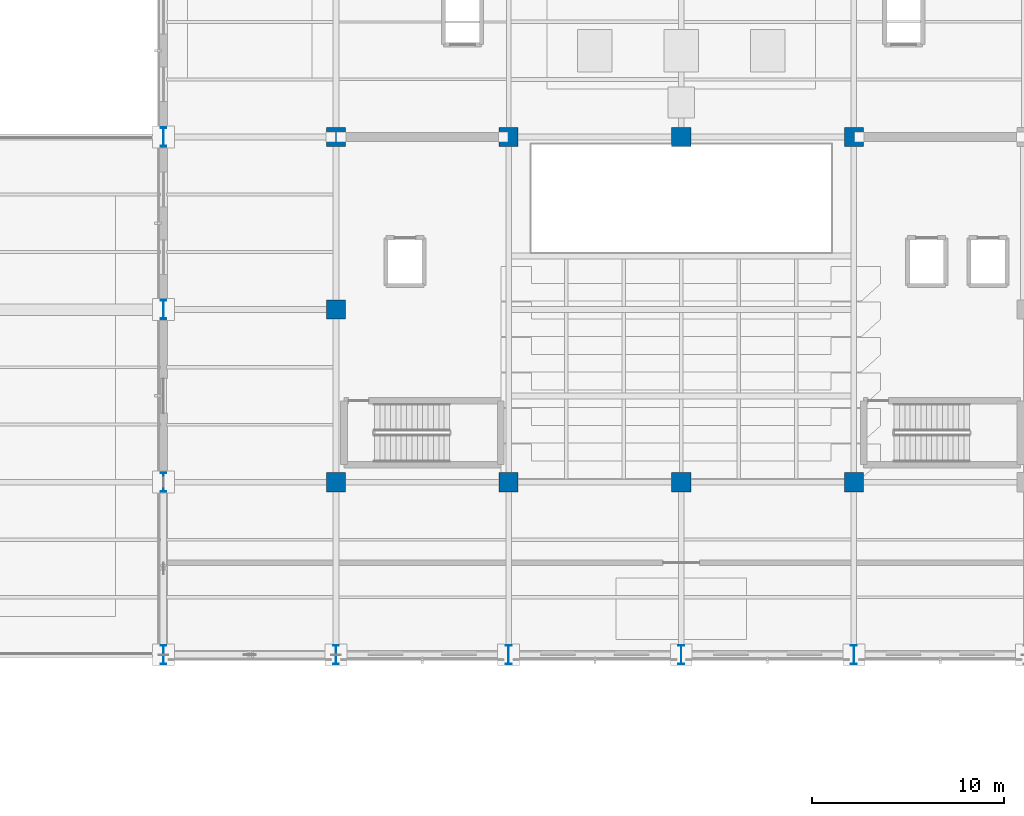
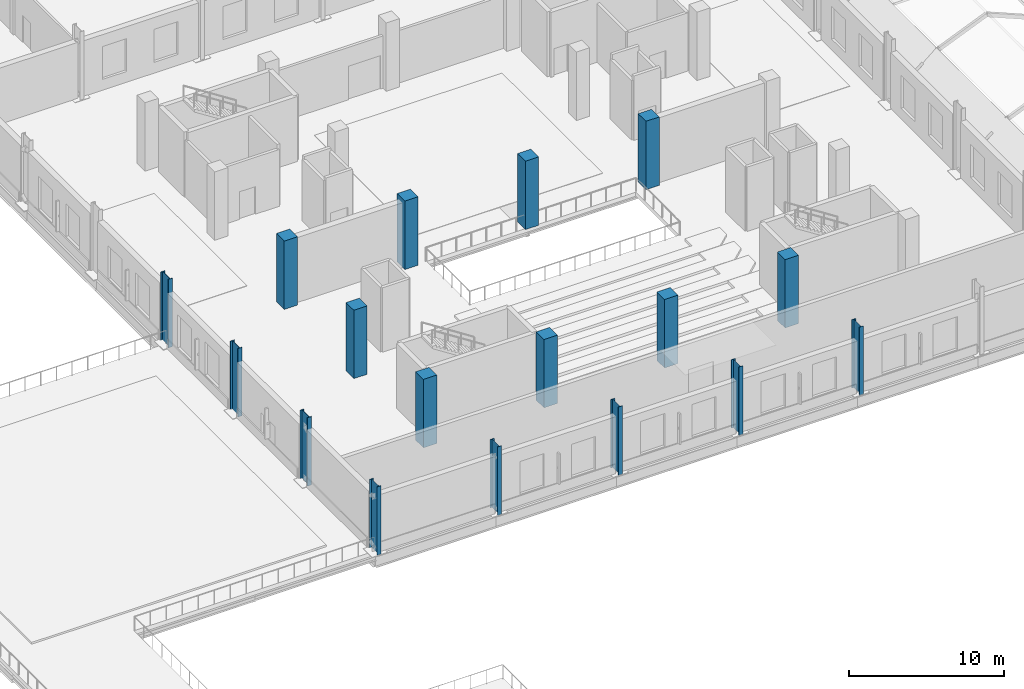
# One storey, part 1 of 141: 17 columns.
"""IFC4 building model written with IfcOpenShell, lengths in metres."""

from ifc_helpers import new_model, si_unit, direction, frame, origin, origin_2d, place, context, subcontext, project, spatial, rectangle, i_section, extrude, material, material_profile, profile_set, type_object, element, save


model = new_model("IFC4")

# Units and contexts
model_context = context("Model", 3, precision=1e-05, world=origin(), true_north=direction((0.0, 1.0)))
body_context = subcontext(model_context, "Body", "Model", "MODEL_VIEW")
ifc_project = project(units=[si_unit("LENGTHUNIT", "METRE"), si_unit("AREAUNIT", "SQUARE_METRE"), si_unit("VOLUMEUNIT", "CUBIC_METRE"), si_unit("PLANEANGLEUNIT", "RADIAN"), si_unit("MASSUNIT", "GRAM", prefix="KILO")], contexts=[model_context])

# Site, building, storey
site_placement = place(None, origin())
site = spatial("IfcSite", under=ifc_project, at=site_placement, CompositionType="ELEMENT")
building_placement = place(site_placement, origin())
building = spatial("IfcBuilding", under=site, at=building_placement, Name="Sundgate Opera House", CompositionType="ELEMENT")
storey_placement = place(building_placement, frame((0.0, 0.0, 11.39990234375)))
storey = spatial("IfcBuildingStorey", under=building, at=storey_placement, Name="L02", CompositionType="ELEMENT", Elevation=11.39990234375)

# Columns
ifc_material_1 = material(Name="Concrete C45/55", Category="concrete")
ifc_material_profile_1 = material_profile(ifc_material_1, rectangle(XDim=1.0, YDim=1.0, at=origin_2d()), Name="RC 1000x1000")
ifc_profile_set_1 = profile_set([ifc_material_profile_1], Name="Concrete C45/55")
column_type_1 = type_object("IfcColumnType", Name="CL-RC-1000", PredefinedType="COLUMN", material=ifc_profile_set_1)
for number, where, z_axis, x_axis, name in (
    (1, (36.0, 42.0, 0.0), (0.0, 0.0, 1.0), (1.0, 0.0, 0.0), "L02 Column C0223"),
    (2, (36.0, 51.0, 0.0), (0.0, 0.0, 1.0), (1.0, 0.0, 0.0), "L02 Column C0229"),
    (3, (36.0, 60.0, 0.0), (0.0, 0.0, 1.0), (1.0, 0.0, 0.0), "L02 Column C0235"),
    (4, (45.0, 42.0, 0.0), (0.0, 0.0, 1.0), (1.0, 0.0, 0.0), "L02 Column C0288"),
    (5, (45.0, 60.0, 0.0), (0.0, 0.0, 1.0), (1.0, 0.0, 0.0), "L02 Column C0295"),
    (6, (54.0, 42.0, 0.0), (0.0, 0.0, 1.0), (1.0, 0.0, 0.0), "L02 Column C0348"),
    (7, (54.0, 60.0, 0.0), (0.0, 0.0, 1.0), (1.0, 0.0, 0.0), "L02 Column C0355"),
    (8, (63.0, 42.0, 0.0), (0.0, 0.0, 1.0), (1.0, 0.0, 0.0), "L02 Column C0403"),
    (9, (63.0, 60.0, 0.0), (0.0, 0.0, 1.0), (1.0, 0.0, 0.0), "L02 Column C0411"),
):
    element("IfcColumn", number, at=place(storey_placement, frame(where, z_axis=z_axis, x_axis=x_axis)), inside=storey, type_object=column_type_1, Name=name, PredefinedType="COLUMN", context=body_context, shape_type="SweptSolid", body=[
        extrude(rectangle(XDim=1.0, YDim=1.0, at=origin_2d()), origin(), (0.0, 0.0, 1.0), 5.400146484375),
    ])
ifc_material_2 = material(Name="Steel S355J2", Category="steel")
ifc_material_profile_2 = material_profile(ifc_material_2, i_section(OverallWidth=0.300048828125, OverallDepth=1.0, WebThickness=0.01904296875, FlangeThickness=0.035888671875, at=origin_2d()), Name="HEB 1000")
ifc_profile_set_2 = profile_set([ifc_material_profile_2], Name="Steel S355J2")
column_type_2 = type_object("IfcColumnType", Name="CL-STL-1000", PredefinedType="COLUMN", material=ifc_profile_set_2)
for number, where, z_axis, x_axis, name in (
    (10, (27.0, 33.0, 0.0), (0.0, 0.0, 1.0), (1.0, 0.0, 0.0), "L02 Column C0159"),
    (11, (27.0, 42.0, 0.0), (0.0, 0.0, 1.0), (1.0, 0.0, 0.0), "L02 Column C0164"),
    (12, (27.0, 51.0, 0.0), (0.0, 0.0, 1.0), (1.0, 0.0, 0.0), "L02 Column C0169"),
    (13, (27.0, 60.0, 0.0), (0.0, 0.0, 1.0), (1.0, 0.0, 0.0), "L02 Column C0174"),
    (14, (36.0, 33.0, 0.0), (0.0, 0.0, 1.0), (1.0, 0.0, 0.0), "L02 Column C0216"),
    (15, (45.0, 33.0, 0.0), (0.0, 0.0, 1.0), (1.0, 0.0, 0.0), "L02 Column C0281"),
    (16, (54.0, 33.0, 0.0), (0.0, 0.0, 1.0), (1.0, 0.0, 0.0), "L02 Column C0341"),
    (17, (63.0, 33.0, 0.0), (0.0, 0.0, 1.0), (1.0, 0.0, 0.0), "L02 Column C0396"),
):
    element("IfcColumn", number, at=place(storey_placement, frame(where, z_axis=z_axis, x_axis=x_axis)), inside=storey, type_object=column_type_2, Name=name, PredefinedType="COLUMN", context=body_context, shape_type="SweptSolid", body=[
        extrude(i_section(OverallWidth=0.300048828125, OverallDepth=1.0, WebThickness=0.01904296875, FlangeThickness=0.035888671875, at=origin_2d()), origin(), (0.0, 0.0, 1.0), 5.400146484375),
    ])

save(model, "model.ifc")
